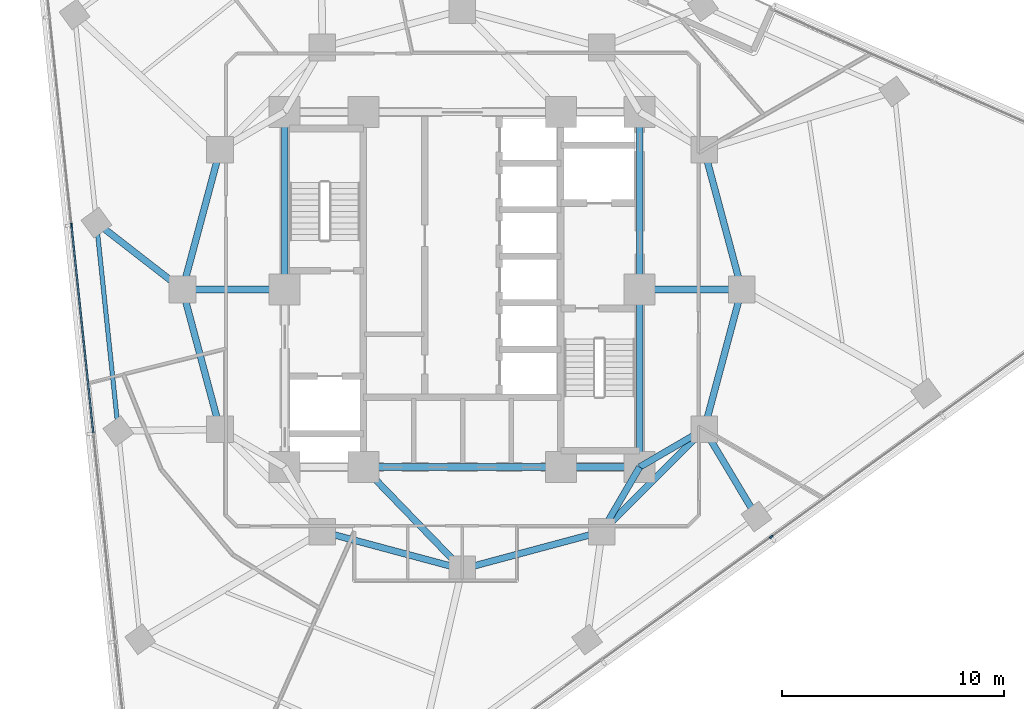
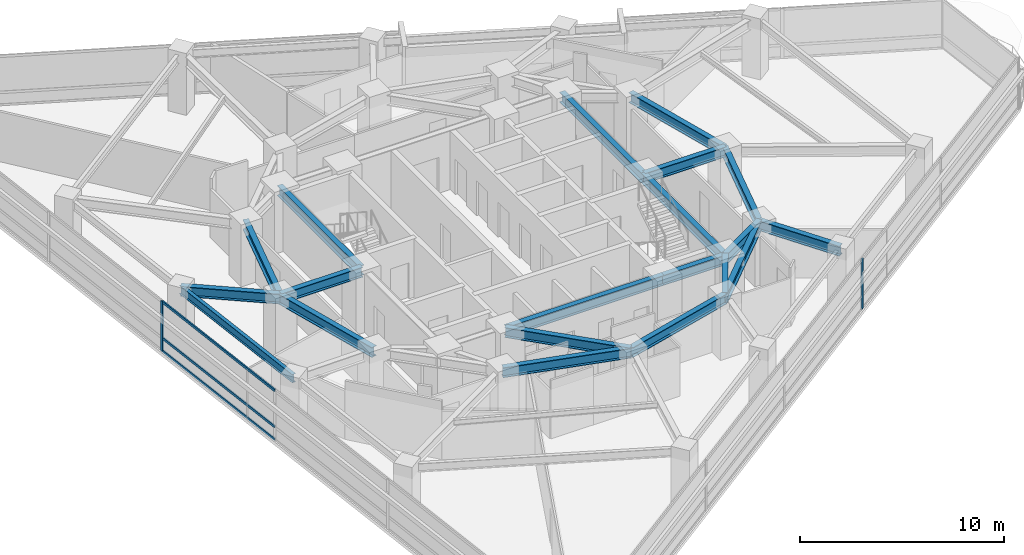
# One storey, part 3 of 14: 20 beams, 5 members, 2 elements without a shape of their own.
"""IFC4 building model written with IfcOpenShell, lengths in metres."""

from ifc_helpers import new_model, si_unit, direction, frame, origin, origin_2d, place, context, subcontext, project, spatial, rectangle, i_section, extrude, material, layer, layer_set, material_profile, profile_set, type_object, element, aggregate, save


model = new_model("IFC4")

# Units and contexts
model_context = context("Model", 3, precision=1e-05, world=origin(), true_north=direction((0.0, 1.0)))
body_context = subcontext(model_context, "Body", "Model", "MODEL_VIEW")
ifc_project = project(units=[si_unit("LENGTHUNIT", "METRE"), si_unit("AREAUNIT", "SQUARE_METRE"), si_unit("VOLUMEUNIT", "CUBIC_METRE"), si_unit("PLANEANGLEUNIT", "RADIAN"), si_unit("MASSUNIT", "GRAM", prefix="KILO")], contexts=[model_context])

# Site, building, storey
site_placement = place(None, origin())
site = spatial("IfcSite", under=ifc_project, at=site_placement, CompositionType="ELEMENT")
building_placement = place(site_placement, origin())
building = spatial("IfcBuilding", under=site, at=building_placement, Name="Terralouvre Media Tower", CompositionType="ELEMENT")
storey_placement = place(building_placement, frame((0.0, 0.0, 176.800048828125)))
storey = spatial("IfcBuildingStorey", under=building, at=storey_placement, Name="L45", CompositionType="ELEMENT", Elevation=176.800048828125)

# Curtain wall, members
ifc_material_1 = material(Name="Low-iron laminated double glazing with solar-control coating", Category="glass")
ifc_layer = layer(ifc_material_1, 0.1650390625, Name="Production Studio Tower Curtain Wall CW-03")
ifc_layer_set = layer_set([ifc_layer], Name="Low-iron laminated double glazing with solar-control coating")
curtain_wall_type = type_object("IfcCurtainWallType", Name="Production Studio Tower Curtain Wall CW-03", PredefinedType="NOTDEFINED", material=ifc_layer_set)
curtain_wall_1_placement = place(storey_placement, origin())
curtain_wall_1 = element("IfcCurtainWall", 1, at=curtain_wall_1_placement, inside=storey, type_object=curtain_wall_type, Name="L45 Facade Curtain Wall F2", PredefinedType="NOTDEFINED")
ifc_material_2 = material(Name="Anodised extruded aluminium 6063-T6", Category="aluminium")
ifc_material_profile_1 = material_profile(ifc_material_2, rectangle(XDim=0.074951171875, YDim=0.14990234375, at=origin_2d()), Name="ALU 75x150")
ifc_profile_set_1 = profile_set([ifc_material_profile_1], Name="Anodised extruded aluminium 6063-T6")
member_type_1 = type_object("IfcMemberType", Name="Curtain-Wall Horizontal Transom TR-150", PredefinedType="USERDEFINED", material=ifc_profile_set_1)
member_1_placement = place(storey_placement, frame((-17.6005859375, 2.8583984375, 0.037353515625), z_axis=(0.104512438861, -0.994523579471, 0.0), x_axis=(0.994523579471, 0.104512438861, 0.0)))
member_1 = element("IfcMember", 2, at=member_1_placement, type_object=member_type_1, Name="CW-03 transom 3.1", ObjectType="TRANSOM", PredefinedType="USERDEFINED", context=body_context, shape_type="SweptSolid", body=[
    extrude(rectangle(XDim=0.074951171875, YDim=0.14990234375, at=origin_2d()), origin(), (0.0, 0.0, 1.0), 9.364990234375),
])
member_2_placement = place(storey_placement, frame((-17.6005859375, 2.8583984375, 0.800048828125), z_axis=(0.104512438861, -0.994523579471, 0.0), x_axis=(0.994523579471, 0.104512438861, 0.0)))
member_2 = element("IfcMember", 3, at=member_2_placement, type_object=member_type_1, Name="CW-03 transom 3.2", ObjectType="TRANSOM", PredefinedType="USERDEFINED", context=body_context, shape_type="SweptSolid", body=[
    extrude(rectangle(XDim=0.074951171875, YDim=0.14990234375, at=origin_2d()), origin(), (0.0, 0.0, 1.0), 9.364990234375),
])
member_3_placement = place(storey_placement, frame((-17.6005859375, 2.8583984375, 2.96240234375), z_axis=(0.104512438861, -0.994523579471, 0.0), x_axis=(0.994523579471, 0.104512438861, 0.0)))
member_3 = element("IfcMember", 4, at=member_3_placement, type_object=member_type_1, Name="CW-03 transom 3.3", ObjectType="TRANSOM", PredefinedType="USERDEFINED", context=body_context, shape_type="SweptSolid", body=[
    extrude(rectangle(XDim=0.074951171875, YDim=0.14990234375, at=origin_2d()), origin(), (0.0, 0.0, 1.0), 9.364990234375),
])

# Curtain wall, member
curtain_wall_2_placement = place(storey_placement, origin())
curtain_wall_2 = element("IfcCurtainWall", 5, at=curtain_wall_2_placement, inside=storey, type_object=curtain_wall_type, Name="L45 Facade Curtain Wall F0", PredefinedType="NOTDEFINED")
ifc_material_3 = material(Name="Anodised extruded aluminium 6063-T6", Category="aluminium")
ifc_material_profile_2 = material_profile(ifc_material_3, rectangle(XDim=0.074951171875, YDim=0.179931640625, at=origin_2d()), Name="ALU 75x180")
ifc_profile_set_2 = profile_set([ifc_material_profile_2], Name="Anodised extruded aluminium 6063-T6")
member_type_2 = type_object("IfcMemberType", Name="Curtain-Wall Vertical Mullion ML-180", PredefinedType="MULLION", material=ifc_profile_set_2)
member_4_placement = place(storey_placement, frame((13.931640625, -11.145263671875, 0.0), z_axis=(0.0, 0.0, 1.0), x_axis=(-0.587785358263, 0.809016917383, 0.0)))
member_4 = element("IfcMember", 6, at=member_4_placement, type_object=member_type_2, Name="CW-03 mullion 4", PredefinedType="MULLION", context=body_context, shape_type="SweptSolid", body=[
    extrude(rectangle(XDim=0.074951171875, YDim=0.179931640625, at=origin_2d()), origin(), (0.0, 0.0, 1.0), 3.0),
])
aggregate(curtain_wall_2, [member_4])

# Member
member_5_placement = place(storey_placement, frame((-17.6044921875, 2.895751953125, 0.0), z_axis=(0.0, 0.0, 1.0), x_axis=(0.994521904516, 0.104528376236, 0.0)))
member_5 = element("IfcMember", 7, at=member_5_placement, type_object=member_type_2, Name="CW-03 mullion 3", PredefinedType="MULLION", context=body_context, shape_type="SweptSolid", body=[
    extrude(rectangle(XDim=0.074951171875, YDim=0.179931640625, at=origin_2d()), origin(), (0.0, 0.0, 1.0), 3.0),
])

aggregate(curtain_wall_1, [member_5, member_1, member_2, member_3])

# Beams
ifc_material_4 = material(Name="Structural steel S355J2", Category="steel")
ifc_material_profile_3 = material_profile(ifc_material_4, i_section(OverallWidth=0.199951171875, OverallDepth=0.5, WebThickness=0.01025390625, FlangeThickness=0.01611328125, at=origin_2d()), Name="IPE 500")
ifc_profile_set_3 = profile_set([ifc_material_profile_3], Name="Structural steel S355J2")
beam_type_1 = type_object("IfcBeamType", Name="Perimeter Spandrel Beam SPB-500 (IPE 500)", PredefinedType="SPANDREL", material=ifc_profile_set_3)
beam_1_placement = place(storey_placement, frame((-16.480712890625, 3.013916015625, 3.25), z_axis=(0.104508425148, -0.994524001255, 0.0), x_axis=(0.994524001255, 0.104508425148, 0.0)))
element("IfcBeam", 8, at=beam_1_placement, inside=storey, type_object=beam_type_1, Name="L45 Framing Beam BM-L45-PR12", PredefinedType="SPANDREL", context=body_context, shape_type="SweptSolid", body=[
    extrude(i_section(OverallWidth=0.199951171875, OverallDepth=0.5, WebThickness=0.01025390625, FlangeThickness=0.01611328125, at=origin_2d()), origin(), (0.0, 0.0, 1.0), 9.440185546875),
])
ifc_material_5 = material(Name="Structural steel S460M", Category="steel")
ifc_material_profile_4 = material_profile(ifc_material_5, i_section(OverallWidth=0.300048828125, OverallDepth=0.60009765625, WebThickness=0.015380859375, FlangeThickness=0.030029296875, at=origin_2d()), Name="HEB 600")
ifc_profile_set_4 = profile_set([ifc_material_profile_4], Name="Structural steel S460M")
beam_type_2 = type_object("IfcBeamType", Name="Primary Floor Girder B-HEB600 (HEB 600)", PredefinedType="BEAM", material=ifc_profile_set_4)
beam_2_placement = place(storey_placement, frame((-4.449951171875, -8.0, 3.199951171875), z_axis=(1.0, 0.0, 0.0), x_axis=(0.0, 1.0, 0.0)))
element("IfcBeam", 9, at=beam_2_placement, inside=storey, type_object=beam_type_2, Name="L45 Framing Beam BM-L45-CPR02", PredefinedType="BEAM", context=body_context, shape_type="SweptSolid", body=[
    extrude(i_section(OverallWidth=0.300048828125, OverallDepth=0.60009765625, WebThickness=0.015380859375, FlangeThickness=0.030029296875, at=origin_2d()), origin(), (0.0, 0.0, 1.0), 8.89990234375),
])
beam_3_placement = place(storey_placement, frame((4.449951171875, -8.0, 3.199951171875), z_axis=(1.0, 0.0, 0.0), x_axis=(0.0, 1.0, 0.0)))
element("IfcBeam", 10, at=beam_3_placement, inside=storey, type_object=beam_type_2, Name="L45 Framing Beam BM-L45-CPR03", PredefinedType="BEAM", context=body_context, shape_type="SweptSolid", body=[
    extrude(i_section(OverallWidth=0.300048828125, OverallDepth=0.60009765625, WebThickness=0.015380859375, FlangeThickness=0.030029296875, at=origin_2d()), origin(), (0.0, 0.0, 1.0), 3.550048828125),
])
for number, where, z_axis, x_axis, name in (
    (11, (8.0, -8.0, 3.199951171875), (0.0, 1.0, 0.0), (-1.0, 0.0, 0.0), "L45 Framing Beam BM-L45-CPR04"),
    (12, (8.0, 0.0, 3.199951171875), (0.0, 1.0, 0.0), (-1.0, 0.0, 0.0), "L45 Framing Beam BM-L45-CPR05"),
    (13, (-8.0, 8.0, 3.199951171875), (0.0, -1.0, 0.0), (1.0, 0.0, 0.0), "L45 Framing Beam BM-L45-CPR09"),
):
    element("IfcBeam", number, at=place(storey_placement, frame(where, z_axis=z_axis, x_axis=x_axis)), inside=storey, type_object=beam_type_2, Name=name, PredefinedType="BEAM", context=body_context, shape_type="SweptSolid", body=[
        extrude(i_section(OverallWidth=0.300048828125, OverallDepth=0.60009765625, WebThickness=0.015380859375, FlangeThickness=0.030029296875, at=origin_2d()), origin(), (0.0, 0.0, 1.0), 8.0),
    ])
for number, where, z_axis, x_axis, name in (
    (14, (-6.300048828125, -10.911865234375, 3.199951171875), (0.965920481897, -0.258838989821, 0.0), (0.258838989821, 0.965920481897, 0.0), "L45 Framing Beam BM-L45-MR02"),
    (15, (0.0, -12.60009765625, 3.199951171875), (0.965920481897, 0.258838989821, 0.0), (-0.258838989821, 0.965920481897, 0.0), "L45 Framing Beam BM-L45-MR03"),
):
    element("IfcBeam", number, at=place(storey_placement, frame(where, z_axis=z_axis, x_axis=x_axis)), inside=storey, type_object=beam_type_2, Name=name, PredefinedType="BEAM", context=body_context, shape_type="SweptSolid", body=[
        extrude(i_section(OverallWidth=0.300048828125, OverallDepth=0.60009765625, WebThickness=0.015380859375, FlangeThickness=0.030029296875, at=origin_2d()), origin(), (0.0, 0.0, 1.0), 6.522216796875),
    ])
beam_4_placement = place(storey_placement, frame((6.300048828125, -10.911865234375, 3.199951171875), z_axis=(0.707106781187, 0.707106781187, 0.0), x_axis=(-0.707106781187, 0.707106781187, 0.0)))
element("IfcBeam", 16, at=beam_4_placement, inside=storey, type_object=beam_type_2, Name="L45 Framing Beam BM-L45-MR04", PredefinedType="BEAM", context=body_context, shape_type="SweptSolid", body=[
    extrude(i_section(OverallWidth=0.300048828125, OverallDepth=0.60009765625, WebThickness=0.015380859375, FlangeThickness=0.030029296875, at=origin_2d()), origin(), (0.0, 0.0, 1.0), 6.52197265625),
])
for number, where, z_axis, x_axis, name in (
    (17, (10.911865234375, -6.300048828125, 3.199951171875), (0.258838989821, 0.965920481897, 0.0), (-0.965920481897, 0.258838989821, 0.0), "L45 Framing Beam BM-L45-MR05"),
    (18, (12.60009765625, 0.0, 3.199951171875), (-0.258838989821, 0.965920481897, 0.0), (-0.965920481897, -0.258838989821, 0.0), "L45 Framing Beam BM-L45-MR06"),
    (19, (-10.911865234375, 6.300048828125, 3.199951171875), (-0.258838989821, -0.965920481897, 0.0), (0.965920481897, -0.258838989821, 0.0), "L45 Framing Beam BM-L45-MR11"),
    (20, (-12.60009765625, 0.0, 3.199951171875), (0.258838989821, -0.965920481897, 0.0), (0.965920481897, 0.258838989821, 0.0), "L45 Framing Beam BM-L45-MR12"),
):
    element("IfcBeam", number, at=place(storey_placement, frame(where, z_axis=z_axis, x_axis=x_axis)), inside=storey, type_object=beam_type_2, Name=name, PredefinedType="BEAM", context=body_context, shape_type="SweptSolid", body=[
        extrude(i_section(OverallWidth=0.300048828125, OverallDepth=0.60009765625, WebThickness=0.015380859375, FlangeThickness=0.030029296875, at=origin_2d()), origin(), (0.0, 0.0, 1.0), 6.522216796875),
    ])
beam_5_placement = place(storey_placement, frame((-4.449951171875, -8.0, 3.199951171875), z_axis=(0.695279715726, -0.718739255155, 0.0), x_axis=(0.718739255155, 0.695279715726, 0.0)))
element("IfcBeam", 21, at=beam_5_placement, inside=storey, type_object=beam_type_2, Name="L45 Framing Beam BM-L45-CM03", PredefinedType="BEAM", context=body_context, shape_type="SweptSolid", body=[
    extrude(i_section(OverallWidth=0.300048828125, OverallDepth=0.60009765625, WebThickness=0.015380859375, FlangeThickness=0.030029296875, at=origin_2d()), origin(), (0.0, 0.0, 1.0), 6.400146484375),
])
for number, where, z_axis, x_axis, name in (
    (22, (8.0, -8.0, 3.199951171875), (-0.504172629717, -0.863602894532, 0.0), (0.863602894532, -0.504172629717, 0.0), "L45 Framing Beam BM-L45-CM04"),
    (23, (8.0, -8.0, 3.199951171875), (0.863602894532, 0.504172629717, 0.0), (-0.504172629717, 0.863602894532, 0.0), "L45 Framing Beam BM-L45-CM05"),
):
    element("IfcBeam", number, at=place(storey_placement, frame(where, z_axis=z_axis, x_axis=x_axis)), inside=storey, type_object=beam_type_2, Name=name, PredefinedType="BEAM", context=body_context, shape_type="SweptSolid", body=[
        extrude(i_section(OverallWidth=0.300048828125, OverallDepth=0.60009765625, WebThickness=0.015380859375, FlangeThickness=0.030029296875, at=origin_2d()), origin(), (0.0, 0.0, 1.0), 3.371826171875),
    ])
for number, where, z_axis, x_axis, name in (
    (24, (8.0, 0.0, 3.199951171875), (1.0, 0.0, 0.0), (0.0, 1.0, 0.0), "L45 Framing Beam BM-L45-CM06"),
    (25, (-8.0, 0.0, 3.199951171875), (-1.0, 0.0, 0.0), (0.0, -1.0, 0.0), "L45 Framing Beam BM-L45-CM12"),
):
    element("IfcBeam", number, at=place(storey_placement, frame(where, z_axis=z_axis, x_axis=x_axis)), inside=storey, type_object=beam_type_2, Name=name, PredefinedType="BEAM", context=body_context, shape_type="SweptSolid", body=[
        extrude(i_section(OverallWidth=0.300048828125, OverallDepth=0.60009765625, WebThickness=0.015380859375, FlangeThickness=0.030029296875, at=origin_2d()), origin(), (0.0, 0.0, 1.0), 4.60009765625),
    ])
beam_6_placement = place(storey_placement, frame((10.911865234375, -6.300048828125, 3.199951171875), z_axis=(0.514041286901, -0.857765443091, 0.0), x_axis=(0.857765443091, 0.514041286901, 0.0)))
element("IfcBeam", 26, at=beam_6_placement, inside=storey, type_object=beam_type_2, Name="L45 Framing Beam BM-L45-RD05", PredefinedType="BEAM", context=body_context, shape_type="SweptSolid", body=[
    extrude(i_section(OverallWidth=0.300048828125, OverallDepth=0.60009765625, WebThickness=0.015380859375, FlangeThickness=0.030029296875, at=origin_2d()), origin(), (0.0, 0.0, 1.0), 4.582763671875),
])
beam_7_placement = place(storey_placement, frame((-12.60009765625, 0.0, 3.199951171875), z_axis=(-0.78978010095, 0.613390081549, 0.0), x_axis=(-0.613390081549, -0.78978010095, 0.0)))
element("IfcBeam", 27, at=beam_7_placement, inside=storey, type_object=beam_type_2, Name="L45 Framing Beam BM-L45-RD12", PredefinedType="BEAM", context=body_context, shape_type="SweptSolid", body=[
    extrude(i_section(OverallWidth=0.300048828125, OverallDepth=0.60009765625, WebThickness=0.015380859375, FlangeThickness=0.030029296875, at=origin_2d()), origin(), (0.0, 0.0, 1.0), 4.91357421875),
])

save(model, "model.ifc")
